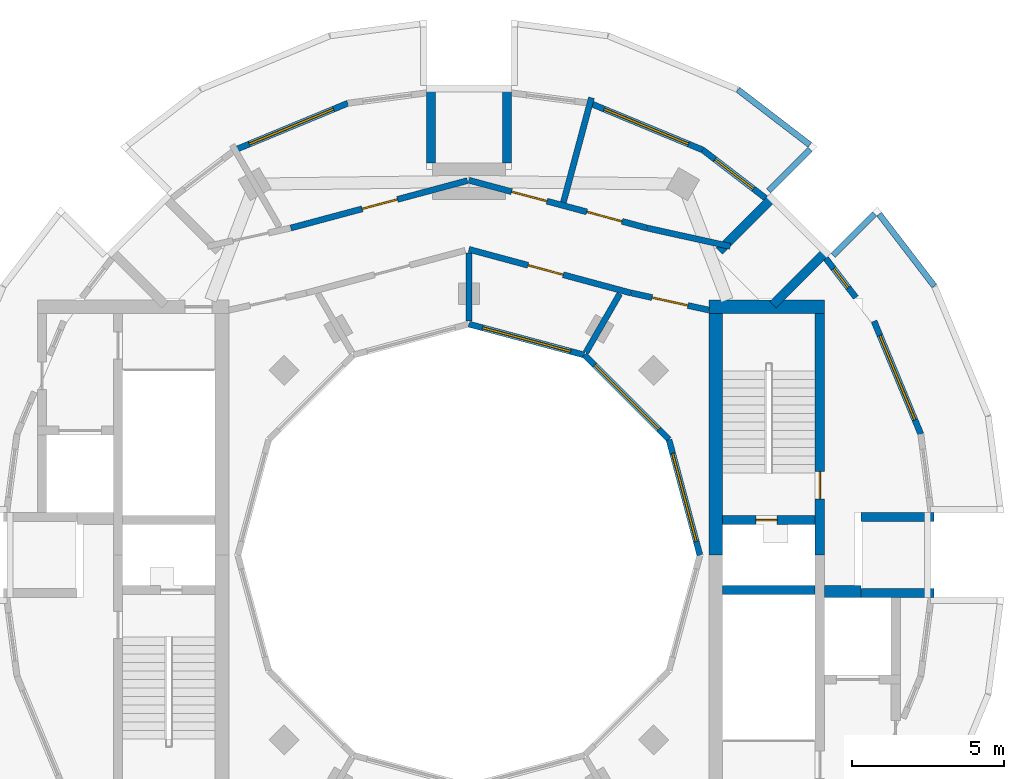
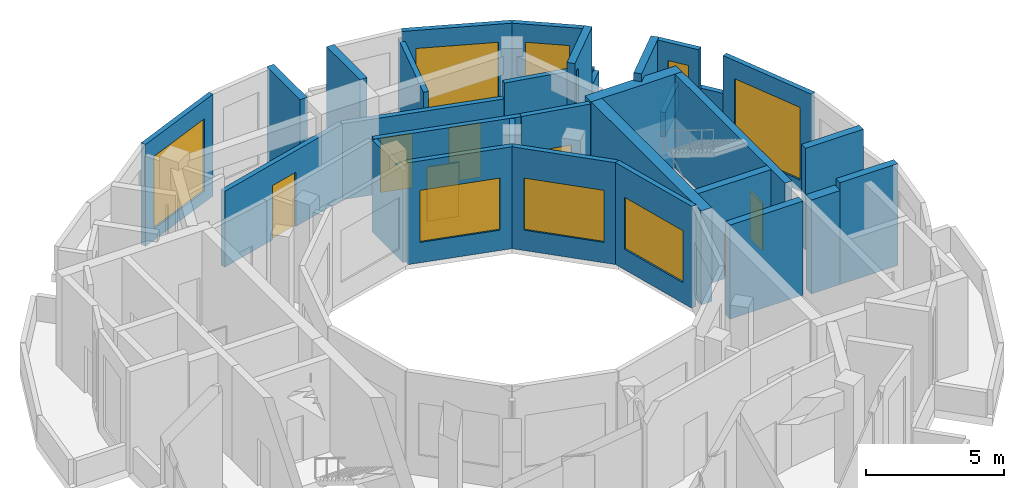
# One storey, part 5 of 7: 32 walls, 8 windows, 7 doors, 15 openings.
"""IFC4 building model written with IfcOpenShell, lengths in metres."""

from ifc_helpers import new_model, si_unit, direction, frame, frame_2d, origin, place, context, subcontext, project, spatial, rectangle, extrude, material, layer, layer_set, type_object, element, fill, save


model = new_model("IFC4")

# Units and contexts
model_context = context("Model", 3, precision=1e-05, world=origin(), true_north=direction((0.0, 1.0)))
body_context = subcontext(model_context, "Body", "Model", "MODEL_VIEW")
ifc_project = project(units=[si_unit("LENGTHUNIT", "METRE"), si_unit("AREAUNIT", "SQUARE_METRE"), si_unit("VOLUMEUNIT", "CUBIC_METRE"), si_unit("PLANEANGLEUNIT", "RADIAN"), si_unit("MASSUNIT", "GRAM", prefix="KILO")], contexts=[model_context])

# Site, building, storey
site_placement = place(None, origin())
site = spatial("IfcSite", under=ifc_project, at=site_placement, CompositionType="ELEMENT")
building_placement = place(site_placement, origin())
building = spatial("IfcBuilding", under=site, at=building_placement, Name="Torre Brocal", CompositionType="ELEMENT")
storey_placement = place(building_placement, frame((0.0, 0.0, 333.10009765625)))
storey = spatial("IfcBuildingStorey", under=building, at=storey_placement, Name="L76", CompositionType="ELEMENT", Elevation=333.10009765625)

# Wall, opening, door
ifc_material_1 = material(Name="Concrete C50", Category="concrete")
ifc_layer_1 = layer(ifc_material_1, 0.300048828125)
ifc_layer_set_1 = layer_set([ifc_layer_1], Name="Concrete C50")
wall_type_1 = type_object("IfcWallType", Name="CORE WALL 300 C50 UNDER 350 SLAB", PredefinedType="SHEAR", material=ifc_layer_set_1)
wall_1_placement = place(storey_placement, frame((91.550048828125, 75.0, 0.0), z_axis=(0.0, 0.0, 1.0), x_axis=(0.0, 1.0, 0.0)))
wall_1 = element("IfcWall", 1, at=wall_1_placement, inside=storey, type_object=wall_type_1, Name="Wall CW300-50-S350", PredefinedType="SHEAR", context=body_context, shape_type="SweptSolid", body=[
    extrude(rectangle(XDim=7.949951171875, YDim=0.300048828125, at=frame_2d((3.97509765625, 0.0))), origin(), (0.0, 0.0, 1.0), 4.14990234375),
])
opening_1_placement = place(wall_1_placement, frame((1.85009765625, 0.0, 0.0)))
opening_1 = element("IfcOpeningElement", 2, at=opening_1_placement, cuts=wall_1, Name="Opening E-D02", PredefinedType="OPENING", context=body_context, shape_type="SweptSolid", body=[
    extrude(rectangle(XDim=0.89990234375, YDim=2.10009765625, at=frame_2d((0.449951171875, 1.050048828125))), frame((0.0, 0.159912109375, 0.0), z_axis=(0.0, -1.0, 0.0), x_axis=(1.0, 0.0, 0.0)), (0.0, 0.0, 1.0), 0.320068359375),
])
ifc_material_2 = material(Name="Steel A653", Category="steel")
door_type_1 = type_object("IfcDoorType", Name="STAIR DOOR FD120 900X2100", OperationType="SINGLE_SWING_RIGHT", PredefinedType="DOOR", material=ifc_material_2)
door_1_placement = place(opening_1_placement, frame((0.89990234375, 0.0, 0.0), z_axis=(0.0, 0.0, 1.0), x_axis=(-1.0, 0.0, 0.0)))
door_1 = element("IfcDoor", 3, at=door_1_placement, inside=storey, type_object=door_type_1, Name="Door E-D02", OperationType="SINGLE_SWING_RIGHT", OverallHeight=2.10009765625, OverallWidth=0.89990234375, PredefinedType="DOOR", context=body_context, shape_type="SweptSolid", body=[
    extrude(rectangle(XDim=0.89990234375, YDim=2.10009765625, at=frame_2d((0.449951171875, 1.050048828125))), frame((0.0, 0.02490234375, 0.0), z_axis=(0.0, -1.0, 0.0), x_axis=(1.0, 0.0, 0.0)), (0.0, 0.0, 1.0), 0.050048828125),
])
fill(opening_1, door_1)

wall_2_placement = place(storey_placement, frame((88.35009765625, 76.14990234375, 0.0), z_axis=(0.0, 0.0, 1.0), x_axis=(1.0, 0.0, 0.0)))
wall_2 = element("IfcWall", 4, at=wall_2_placement, inside=storey, type_object=wall_type_1, Name="Wall CW300-50-S350", PredefinedType="SHEAR", context=body_context, shape_type="SweptSolid", body=[
    extrude(rectangle(XDim=3.0498046875, YDim=0.300048828125, at=frame_2d((1.52490234375, 0.0))), origin(), (0.0, 0.0, 1.0), 4.14990234375),
])
opening_2_placement = place(wall_2_placement, frame((1.10009765625, 0.0, 0.0)))
opening_2 = element("IfcOpeningElement", 5, at=opening_2_placement, cuts=wall_2, Name="Opening E-D01", PredefinedType="OPENING", context=body_context, shape_type="SweptSolid", body=[
    extrude(rectangle(XDim=0.699951171875, YDim=2.0, at=frame_2d((0.35009765625, 1.0))), frame((0.0, 0.159912109375, 0.0), z_axis=(0.0, -1.0, 0.0), x_axis=(1.0, 0.0, 0.0)), (0.0, 0.0, 1.0), 0.320068359375),
])
ifc_material_3 = material(Name="Steel A653", Category="steel")
door_type_2 = type_object("IfcDoorType", Name="RISER DOOR FD120 700X2000", OperationType="SINGLE_SWING_LEFT", PredefinedType="DOOR", material=ifc_material_3)
door_2_placement = place(opening_2_placement, frame((0.699951171875, 0.0, 0.0), z_axis=(0.0, 0.0, 1.0), x_axis=(-1.0, 0.0, 0.0)))
door_2 = element("IfcDoor", 6, at=door_2_placement, inside=storey, type_object=door_type_2, Name="Door E-D01", OperationType="SINGLE_SWING_RIGHT", OverallHeight=2.0, OverallWidth=0.699951171875, PredefinedType="DOOR", context=body_context, shape_type="SweptSolid", body=[
    extrude(rectangle(XDim=0.699951171875, YDim=2.0, at=frame_2d((0.35009765625, 1.0))), frame((0.0, 0.02490234375, 0.0), z_axis=(0.0, -1.0, 0.0), x_axis=(1.0, 0.0, 0.0)), (0.0, 0.0, 1.0), 0.050048828125),
])
fill(opening_2, door_2)

# Walls
wall_3_placement = place(storey_placement, frame((88.35009765625, 73.85009765625, 0.0), z_axis=(0.0, 0.0, 1.0), x_axis=(1.0, 0.0, 0.0)))
element("IfcWall", 7, at=wall_3_placement, inside=storey, type_object=wall_type_1, Name="Wall CW300-50-S350", PredefinedType="SHEAR", context=body_context, shape_type="SweptSolid", body=[
    extrude(rectangle(XDim=3.0498046875, YDim=0.300048828125, at=frame_2d((1.52490234375, 0.0))), origin(), (0.0, 0.0, 1.0), 4.14990234375),
])
ifc_material_4 = material(Name="Concrete C50", Category="concrete")
ifc_layer_2 = layer(ifc_material_4, 0.39990234375)
ifc_layer_set_2 = layer_set([ifc_layer_2], Name="Concrete C50")
wall_type_2 = type_object("IfcWallType", Name="CORE WALL 400 C50 UNDER 350 SLAB", PredefinedType="SHEAR", material=ifc_layer_set_2)
wall_4_placement = place(storey_placement, frame((91.699951171875, 73.800048828125, 0.0), z_axis=(0.0, 0.0, 1.0), x_axis=(1.0, 0.0, 0.0)))
element("IfcWall", 8, at=wall_4_placement, inside=storey, type_object=wall_type_2, Name="Wall CW400-50-S350", PredefinedType="SHEAR", context=body_context, shape_type="SweptSolid", body=[
    extrude(rectangle(XDim=1.199951171875, YDim=0.39990234375, at=frame_2d((0.60009765625, 0.0))), origin(), (0.0, 0.0, 1.0), 4.14990234375),
])
ifc_material_5 = material(Name="Concrete C50", Category="concrete")
ifc_layer_3 = layer(ifc_material_5, 0.449951171875)
ifc_layer_set_3 = layer_set([ifc_layer_3], Name="Concrete C50")
wall_type_3 = type_object("IfcWallType", Name="CORE WALL 450 C50 UNDER 350 SLAB", PredefinedType="SHEAR", material=ifc_layer_set_3)
wall_5_placement = place(storey_placement, frame((87.89990234375, 83.175048828125, 0.0), z_axis=(0.0, 0.0, 1.0), x_axis=(1.0, 0.0, 0.0)))
element("IfcWall", 9, at=wall_5_placement, inside=storey, type_object=wall_type_3, Name="Wall CW450-50-S350", PredefinedType="SHEAR", context=body_context, shape_type="SweptSolid", body=[
    extrude(rectangle(XDim=3.800048828125, YDim=0.449951171875, at=frame_2d((1.89990234375, 0.0))), origin(), (0.0, 0.0, 1.0), 4.14990234375),
])
wall_6_placement = place(storey_placement, frame((88.125, 75.0, 0.0), z_axis=(0.0, 0.0, 1.0), x_axis=(0.0, 1.0, 0.0)))
element("IfcWall", 10, at=wall_6_placement, inside=storey, type_object=wall_type_3, Name="Wall CW450-50-S350", PredefinedType="SHEAR", context=body_context, shape_type="SweptSolid", body=[
    extrude(rectangle(XDim=7.949951171875, YDim=0.449951171875, at=frame_2d((3.97509765625, 0.0))), origin(), (0.0, 0.0, 1.0), 4.14990234375),
])

# Wall, opening, window
ifc_material_6 = material(Name="Concrete C40", Category="concrete")
ifc_layer_4 = layer(ifc_material_6, 0.199951171875)
ifc_layer_set_4 = layer_set([ifc_layer_4], Name="Concrete C40")
wall_type_4 = type_object("IfcWallType", Name="LOUVRED PLANT WALL 200", PredefinedType="NOTDEFINED", material=ifc_layer_set_4)
wall_7_placement = place(storey_placement, frame((94.87451171875, 78.985595703125, 0.0), z_axis=(0.0, 0.0, 1.0), x_axis=(-0.38273440371, 0.923858417842, 0.0)))
wall_7 = element("IfcWall", 11, at=wall_7_placement, inside=storey, type_object=wall_type_4, Name="LOUVRED PLANT WALL", PredefinedType="NOTDEFINED", context=body_context, shape_type="SweptSolid", body=[
    extrude(rectangle(XDim=4.02001953125, YDim=0.199951171875, at=frame_2d((2.010009765625, 0.0))), origin(), (0.0, 0.0, 1.0), 4.5),
])
opening_3_placement = place(wall_7_placement, frame((0.510009765625, 0.0, 0.5)))
opening_3 = element("IfcOpeningElement", 12, at=opening_3_placement, cuts=wall_7, Name="Opening LV-3000-3200", PredefinedType="OPENING", context=body_context, shape_type="SweptSolid", body=[
    extrude(rectangle(XDim=3.0, YDim=3.199951171875, at=frame_2d((1.5, 1.60009765625))), frame((0.0, 0.10986328125, 0.0), z_axis=(0.0, -1.0, 0.0), x_axis=(1.0, 0.0, 0.0)), (0.0, 0.0, 1.0), 0.219970703125),
])
ifc_material_7 = material(Name="Aluminium louvre", Category="aluminium")
window_type_1 = type_object("IfcWindowType", Name="LOUVRE PANEL 3000X3200", PartitioningType="SINGLE_PANEL", PredefinedType="USERDEFINED", material=ifc_material_7)
window_1_placement = place(opening_3_placement, origin())
window_1 = element("IfcWindow", 13, at=window_1_placement, inside=storey, type_object=window_type_1, Name="LOUVRE PANEL 3000X3200", ObjectType="LOUVRE", OverallHeight=3.199951171875, OverallWidth=3.0, PartitioningType="SINGLE_PANEL", PredefinedType="USERDEFINED", context=body_context, shape_type="SweptSolid", body=[
    extrude(rectangle(XDim=3.0, YDim=3.199951171875, at=frame_2d((1.5, 1.60009765625))), frame((0.0, 0.030029296875, 0.0), z_axis=(0.0, -1.0, 0.0), x_axis=(1.0, 0.0, 0.0)), (0.0, 0.0, 1.0), 0.06005859375),
])
fill(opening_3, window_1)

wall_8_placement = place(storey_placement, frame((92.739501953125, 83.47705078125, 0.0), z_axis=(0.0, 0.0, 1.0), x_axis=(-0.608836430161, 0.79329578425, 0.0)))
wall_8 = element("IfcWall", 14, at=wall_8_placement, inside=storey, type_object=wall_type_4, Name="LOUVRED PLANT WALL", PredefinedType="NOTDEFINED", context=body_context, shape_type="SweptSolid", body=[
    extrude(rectangle(XDim=1.6201171875, YDim=0.199951171875, at=frame_2d((0.81005859375, 0.0))), origin(), (0.0, 0.0, 1.0), 4.5),
])
opening_4_placement = place(wall_8_placement, frame((0.409912109375, 0.0, 0.5)))
opening_4 = element("IfcOpeningElement", 15, at=opening_4_placement, cuts=wall_8, Name="Opening LV-800-3200", PredefinedType="OPENING", context=body_context, shape_type="SweptSolid", body=[
    extrude(rectangle(XDim=0.800048828125, YDim=3.199951171875, at=frame_2d((0.39990234375, 1.60009765625))), frame((0.0, 0.10986328125, 0.0), z_axis=(0.0, -1.0, 0.0), x_axis=(1.0, 0.0, 0.0)), (0.0, 0.0, 1.0), 0.219970703125),
])
ifc_material_8 = material(Name="Aluminium louvre", Category="aluminium")
window_type_2 = type_object("IfcWindowType", Name="LOUVRE PANEL 800X3200", PartitioningType="SINGLE_PANEL", PredefinedType="USERDEFINED", material=ifc_material_8)
window_2_placement = place(opening_4_placement, origin())
window_2 = element("IfcWindow", 16, at=window_2_placement, inside=storey, type_object=window_type_2, Name="LOUVRE PANEL 800X3200", ObjectType="LOUVRE", OverallHeight=3.199951171875, OverallWidth=0.800048828125, PartitioningType="SINGLE_PANEL", PredefinedType="USERDEFINED", context=body_context, shape_type="SweptSolid", body=[
    extrude(rectangle(XDim=0.800048828125, YDim=3.199951171875, at=frame_2d((0.39990234375, 1.60009765625))), frame((0.0, 0.030029296875, 0.0), z_axis=(0.0, -1.0, 0.0), x_axis=(1.0, 0.0, 0.0)), (0.0, 0.0, 1.0), 0.06005859375),
])
fill(opening_4, window_2)

wall_9_placement = place(storey_placement, frame((89.7685546875, 86.74853515625, 0.0), z_axis=(0.0, 0.0, 1.0), x_axis=(-0.793402901715, 0.608696833859, 0.0)))
wall_9 = element("IfcWall", 17, at=wall_9_placement, inside=storey, type_object=wall_type_4, Name="LOUVRED PLANT WALL", PredefinedType="NOTDEFINED", context=body_context, shape_type="SweptSolid", body=[
    extrude(rectangle(XDim=2.60791015625, YDim=0.199951171875, at=frame_2d((1.303955078125, 0.0))), origin(), (0.0, 0.0, 1.0), 4.5),
])
opening_5_placement = place(wall_9_placement, frame((0.50390625, 0.0, 0.5)))
opening_5 = element("IfcOpeningElement", 18, at=opening_5_placement, cuts=wall_9, Name="Opening LV-1600-3200", PredefinedType="OPENING", context=body_context, shape_type="SweptSolid", body=[
    extrude(rectangle(XDim=1.60009765625, YDim=3.199951171875, at=frame_2d((0.800048828125, 1.60009765625))), frame((0.0, 0.10986328125, 0.0), z_axis=(0.0, -1.0, 0.0), x_axis=(1.0, 0.0, 0.0)), (0.0, 0.0, 1.0), 0.219970703125),
])
ifc_material_9 = material(Name="Aluminium louvre", Category="aluminium")
window_type_3 = type_object("IfcWindowType", Name="LOUVRE PANEL 1600X3200", PartitioningType="SINGLE_PANEL", PredefinedType="USERDEFINED", material=ifc_material_9)
window_3_placement = place(opening_5_placement, origin())
window_3 = element("IfcWindow", 19, at=window_3_placement, inside=storey, type_object=window_type_3, Name="LOUVRE PANEL 1600X3200", ObjectType="LOUVRE", OverallHeight=3.199951171875, OverallWidth=1.60009765625, PartitioningType="SINGLE_PANEL", PredefinedType="USERDEFINED", context=body_context, shape_type="SweptSolid", body=[
    extrude(rectangle(XDim=1.60009765625, YDim=3.199951171875, at=frame_2d((0.800048828125, 1.60009765625))), frame((0.0, 0.030029296875, 0.0), z_axis=(0.0, -1.0, 0.0), x_axis=(1.0, 0.0, 0.0)), (0.0, 0.0, 1.0), 0.06005859375),
])
fill(opening_5, window_3)

wall_10_placement = place(storey_placement, frame((87.699462890625, 88.3359375, 0.0), z_axis=(0.0, 0.0, 1.0), x_axis=(-0.923858417842, 0.38273440371, 0.0)))
wall_10 = element("IfcWall", 20, at=wall_10_placement, inside=storey, type_object=wall_type_4, Name="LOUVRED PLANT WALL", PredefinedType="NOTDEFINED", context=body_context, shape_type="SweptSolid", body=[
    extrude(rectangle(XDim=4.02001953125, YDim=0.199951171875, at=frame_2d((2.010009765625, 0.0))), origin(), (0.0, 0.0, 1.0), 4.5),
])
opening_6_placement = place(wall_10_placement, frame((0.510009765625, 0.0, 0.5)))
opening_6 = element("IfcOpeningElement", 21, at=opening_6_placement, cuts=wall_10, Name="Opening LV-3000-3200", PredefinedType="OPENING", context=body_context, shape_type="SweptSolid", body=[
    extrude(rectangle(XDim=3.0, YDim=3.199951171875, at=frame_2d((1.5, 1.60009765625))), frame((0.0, 0.10986328125, 0.0), z_axis=(0.0, -1.0, 0.0), x_axis=(1.0, 0.0, 0.0)), (0.0, 0.0, 1.0), 0.219970703125),
])
window_4_placement = place(opening_6_placement, origin())
window_4 = element("IfcWindow", 22, at=window_4_placement, inside=storey, type_object=window_type_1, Name="LOUVRE PANEL 3000X3200", ObjectType="LOUVRE", OverallHeight=3.199951171875, OverallWidth=3.0, PartitioningType="SINGLE_PANEL", PredefinedType="USERDEFINED", context=body_context, shape_type="SweptSolid", body=[
    extrude(rectangle(XDim=3.0, YDim=3.199951171875, at=frame_2d((1.5, 1.60009765625))), frame((0.0, 0.030029296875, 0.0), z_axis=(0.0, -1.0, 0.0), x_axis=(1.0, 0.0, 0.0)), (0.0, 0.0, 1.0), 0.06005859375),
])
fill(opening_6, window_4)

wall_11_placement = place(storey_placement, frame((76.014404296875, 89.87451171875, 0.0), z_axis=(0.0, 0.0, 1.0), x_axis=(-0.923858417842, -0.38273440371, 0.0)))
wall_11 = element("IfcWall", 23, at=wall_11_placement, inside=storey, type_object=wall_type_4, Name="LOUVRED PLANT WALL", PredefinedType="NOTDEFINED", context=body_context, shape_type="SweptSolid", body=[
    extrude(rectangle(XDim=4.02001953125, YDim=0.199951171875, at=frame_2d((2.010009765625, 0.0))), origin(), (0.0, 0.0, 1.0), 4.5),
])
opening_7_placement = place(wall_11_placement, frame((0.510009765625, 0.0, 0.5)))
opening_7 = element("IfcOpeningElement", 24, at=opening_7_placement, cuts=wall_11, Name="Opening LV-3000-3200", PredefinedType="OPENING", context=body_context, shape_type="SweptSolid", body=[
    extrude(rectangle(XDim=3.0, YDim=3.199951171875, at=frame_2d((1.5, 1.60009765625))), frame((0.0, 0.10986328125, 0.0), z_axis=(0.0, -1.0, 0.0), x_axis=(1.0, 0.0, 0.0)), (0.0, 0.0, 1.0), 0.219970703125),
])
window_5_placement = place(opening_7_placement, origin())
window_5 = element("IfcWindow", 25, at=window_5_placement, inside=storey, type_object=window_type_1, Name="LOUVRE PANEL 3000X3200", ObjectType="LOUVRE", OverallHeight=3.199951171875, OverallWidth=3.0, PartitioningType="SINGLE_PANEL", PredefinedType="USERDEFINED", context=body_context, shape_type="SweptSolid", body=[
    extrude(rectangle(XDim=3.0, YDim=3.199951171875, at=frame_2d((1.5, 1.60009765625))), frame((0.0, 0.030029296875, 0.0), z_axis=(0.0, -1.0, 0.0), x_axis=(1.0, 0.0, 0.0)), (0.0, 0.0, 1.0), 0.06005859375),
])
fill(opening_7, window_5)

# Walls
ifc_material_10 = material(Name="Concrete C50", Category="concrete")
ifc_layer_5 = layer(ifc_material_10, 0.300048828125)
ifc_layer_set_5 = layer_set([ifc_layer_5], Name="Concrete C50")
wall_type_5 = type_object("IfcWallType", Name="NOTCH RETURN WALL 300 C50", PredefinedType="NOTDEFINED", material=ifc_layer_set_5)
for number, where, z_axis, x_axis, name in (
    (26, (92.89990234375, 73.75, 0.0), (0.0, 0.0, 1.0), (1.0, 0.0, 0.0), "NOTCH RETURN WALL"),
    (27, (92.89990234375, 76.25, 0.0), (0.0, 0.0, 1.0), (1.0, 0.0, 0.0), "NOTCH RETURN WALL"),
    (28, (90.005615234375, 83.23779296875, 0.0), (0.0, 0.0, 1.0), (0.707056246487, 0.707157312274, 0.0), "NOTCH RETURN WALL"),
    (29, (88.23779296875, 85.005615234375, 0.0), (0.0, 0.0, 1.0), (0.707157312274, 0.707056246487, 0.0), "NOTCH RETURN WALL"),
    (30, (81.25, 87.89990234375, 0.0), (0.0, 0.0, 1.0), (0.0, 1.0, 0.0), "NOTCH RETURN WALL"),
    (31, (78.75, 87.89990234375, 0.0), (0.0, 0.0, 1.0), (0.0, 1.0, 0.0), "NOTCH RETURN WALL"),
):
    element("IfcWall", number, at=place(storey_placement, frame(where, z_axis=z_axis, x_axis=x_axis)), inside=storey, type_object=wall_type_5, Name=name, PredefinedType="NOTDEFINED", context=body_context, shape_type="SweptSolid", body=[
        extrude(rectangle(XDim=2.415771484375, YDim=0.300048828125, at=frame_2d((1.2080078125, 0.0))), origin(), (0.0, 0.0, 1.0), 4.5),
    ])
ifc_material_11 = material(Name="Concrete C40", Category="concrete")
ifc_layer_6 = layer(ifc_material_11, 0.199951171875)
ifc_layer_set_6 = layer_set([ifc_layer_6], Name="Concrete C40")
wall_type_6 = type_object("IfcWallType", Name="PARAPET WALL 200 THICK 1100 HIGH 8", PredefinedType="PARAPET", material=ifc_layer_set_6)
wall_12_placement = place(storey_placement, frame((88.859130859375, 90.318359375, 0.0), z_axis=(0.0, 0.0, 1.0), x_axis=(0.79335441758, -0.608760025056, 0.0)))
element("IfcWall", 32, at=wall_12_placement, inside=storey, type_object=wall_type_6, Name="PARAPET WALL 44", PredefinedType="PARAPET", context=body_context, shape_type="SweptSolid", body=[
    extrude(rectangle(XDim=2.979736328125, YDim=0.199951171875, at=frame_2d((1.48974609375, 0.0))), origin(), (0.0, 0.0, 1.0), 1.099853515625),
])
for number, where, z_axis, x_axis, name in (
    (33, (91.23291015625, 88.354248046875, 0.0), (0.0, 0.0, 1.0), (-0.707043717037, -0.707169839712, 0.0), "PARAPET WALL 45"),
    (34, (91.9853515625, 84.8642578125, 0.0), (0.0, 0.0, 1.0), (0.707169839712, 0.707043717037, 0.0), "PARAPET WALL 47"),
):
    element("IfcWall", number, at=place(storey_placement, frame(where, z_axis=z_axis, x_axis=x_axis)), inside=storey, type_object=wall_type_6, Name=name, PredefinedType="PARAPET", context=body_context, shape_type="SweptSolid", body=[
        extrude(rectangle(XDim=1.935791015625, YDim=0.199951171875, at=frame_2d((0.9677734375, 0.0))), origin(), (0.0, 0.0, 1.0), 1.099853515625),
    ])
wall_13_placement = place(storey_placement, frame((93.50439453125, 86.22314453125, 0.0), z_axis=(0.0, 0.0, 1.0), x_axis=(0.608760025056, -0.79335441758, 0.0)))
element("IfcWall", 35, at=wall_13_placement, inside=storey, type_object=wall_type_6, Name="PARAPET WALL 48", PredefinedType="PARAPET", context=body_context, shape_type="SweptSolid", body=[
    extrude(rectangle(XDim=2.979736328125, YDim=0.199951171875, at=frame_2d((1.48974609375, 0.0))), origin(), (0.0, 0.0, 1.0), 1.099853515625),
])
ifc_material_12 = material(Name="Masonry block", Category="masonry")
ifc_layer_7 = layer(ifc_material_12, 0.199951171875)
ifc_layer_set_7 = layer_set([ifc_layer_7], Name="Masonry block")
wall_type_7 = type_object("IfcWallType", Name="PARTITION 200 EI120", PredefinedType="PARTITIONING", material=ifc_layer_set_7)
wall_14_placement = place(storey_placement, frame((80.0, 82.698974609375, 0.0), z_axis=(0.0, 0.0, 1.0), x_axis=(0.0, 1.0, 0.0)))
element("IfcWall", 36, at=wall_14_placement, inside=storey, type_object=wall_type_7, Name="PLANT ROOM WALL", PredefinedType="PARTITIONING", context=body_context, shape_type="SweptSolid", body=[
    extrude(rectangle(XDim=2.241943359375, YDim=0.199951171875, at=frame_2d((1.12109375, 0.0))), origin(), (0.0, 0.0, 1.0), 4.0498046875),
])

# Wall, opening, door
wall_15_placement = place(storey_placement, frame((80.001220703125, 85.06494140625, 0.0), z_axis=(0.0, 0.0, 1.0), x_axis=(0.965552921813, -0.260206754675, 0.0)))
wall_15 = element("IfcWall", 37, at=wall_15_placement, inside=storey, type_object=wall_type_7, Name="PLANT ROOM WALL", PredefinedType="PARTITIONING", context=body_context, shape_type="SweptSolid", body=[
    extrude(rectangle(XDim=5.516845703125, YDim=0.199951171875, at=frame_2d((2.75830078125, 0.0))), origin(), (0.0, 0.0, 1.0), 4.0498046875),
])
opening_8_placement = place(wall_15_placement, frame((2.013916015625, 0.0, 0.0)))
opening_8 = element("IfcOpeningElement", 38, at=opening_8_placement, cuts=wall_15, Name="Opening X5-D06", PredefinedType="OPENING", context=body_context, shape_type="SweptSolid", body=[
    extrude(rectangle(XDim=1.199951171875, YDim=2.39990234375, at=frame_2d((0.60009765625, 1.199951171875))), frame((0.0, 0.10986328125, 0.0), z_axis=(0.0, -1.0, 0.0), x_axis=(1.0, 0.0, 0.0)), (0.0, 0.0, 1.0), 0.219970703125),
])
ifc_material_13 = material(Name="Steel A653", Category="steel")
door_type_3 = type_object("IfcDoorType", Name="PLANT DOOR FD90 1200X2400", OperationType="SINGLE_SWING_RIGHT", PredefinedType="DOOR", material=ifc_material_13)
door_3_placement = place(opening_8_placement, frame((1.199951171875, 0.0, 0.0), z_axis=(0.0, 0.0, 1.0), x_axis=(-1.0, 0.0, 0.0)))
door_3 = element("IfcDoor", 39, at=door_3_placement, inside=storey, type_object=door_type_3, Name="X5-D06", OperationType="SINGLE_SWING_LEFT", OverallHeight=2.39990234375, OverallWidth=1.199951171875, PredefinedType="DOOR", context=body_context, shape_type="SweptSolid", body=[
    extrude(rectangle(XDim=1.199951171875, YDim=2.39990234375, at=frame_2d((0.60009765625, 1.199951171875))), frame((0.0, 0.02490234375, 0.0), z_axis=(0.0, -1.0, 0.0), x_axis=(1.0, 0.0, 0.0)), (0.0, 0.0, 1.0), 0.050048828125),
])
fill(opening_8, door_3)

# Walls
wall_16_placement = place(storey_placement, frame((83.11083984375, 86.609619140625, 0.0), z_axis=(0.0, 0.0, 1.0), x_axis=(0.258761164689, 0.965941333441, 0.0)))
element("IfcWall", 40, at=wall_16_placement, inside=storey, type_object=wall_type_7, Name="PLANT ROOM WALL", PredefinedType="PARTITIONING", context=body_context, shape_type="SweptSolid", body=[
    extrude(rectangle(XDim=3.568359375, YDim=0.199951171875, at=frame_2d((1.7841796875, 0.0))), origin(), (0.0, 0.0, 1.0), 4.0498046875),
])
wall_17_placement = place(storey_placement, frame((83.85009765625, 81.66650390625, 0.0), z_axis=(0.0, 0.0, 1.0), x_axis=(0.500066293759, 0.865987125681, 0.0)))
element("IfcWall", 41, at=wall_17_placement, inside=storey, type_object=wall_type_7, Name="PLANT ROOM WALL", PredefinedType="PARTITIONING", context=body_context, shape_type="SweptSolid", body=[
    extrude(rectangle(XDim=2.233154296875, YDim=0.199951171875, at=frame_2d((1.11669921875, 0.0))), origin(), (0.0, 0.0, 1.0), 4.0498046875),
])

# Wall, opening, door
wall_18_placement = place(storey_placement, frame((85.339111328125, 83.631103515625, 0.0), z_axis=(0.0, 0.0, 1.0), x_axis=(0.976420858197, -0.215875676438, 0.0)))
wall_18 = element("IfcWall", 42, at=wall_18_placement, inside=storey, type_object=wall_type_7, Name="PLANT ROOM WALL", PredefinedType="PARTITIONING", context=body_context, shape_type="SweptSolid", body=[
    extrude(rectangle(XDim=2.62255859375, YDim=0.199951171875, at=frame_2d((1.311279296875, 0.0))), origin(), (0.0, 0.0, 1.0), 4.0498046875),
])
opening_9_placement = place(wall_18_placement, frame((0.71142578125, 0.0, 0.0)))
opening_9 = element("IfcOpeningElement", 43, at=opening_9_placement, cuts=wall_18, Name="Opening X5-D05", PredefinedType="OPENING", context=body_context, shape_type="SweptSolid", body=[
    extrude(rectangle(XDim=1.199951171875, YDim=2.39990234375, at=frame_2d((0.60009765625, 1.199951171875))), frame((0.0, 0.10986328125, 0.0), z_axis=(0.0, -1.0, 0.0), x_axis=(1.0, 0.0, 0.0)), (0.0, 0.0, 1.0), 0.219970703125),
])
door_4_placement = place(opening_9_placement, frame((1.199951171875, 0.0, 0.0), z_axis=(0.0, 0.0, 1.0), x_axis=(-1.0, 0.0, 0.0)))
door_4 = element("IfcDoor", 44, at=door_4_placement, inside=storey, type_object=door_type_3, Name="X5-D05", OperationType="SINGLE_SWING_LEFT", OverallHeight=2.39990234375, OverallWidth=1.199951171875, PredefinedType="DOOR", context=body_context, shape_type="SweptSolid", body=[
    extrude(rectangle(XDim=1.199951171875, YDim=2.39990234375, at=frame_2d((0.60009765625, 1.199951171875))), frame((0.0, 0.02490234375, 0.0), z_axis=(0.0, -1.0, 0.0), x_axis=(1.0, 0.0, 0.0)), (0.0, 0.0, 1.0), 0.050048828125),
])
fill(opening_9, door_4)

# Wall
wall_19_placement = place(storey_placement, frame((85.861083984375, 85.76806640625, 0.0), z_axis=(0.0, 0.0, 1.0), x_axis=(0.976315738101, -0.216350594029, 0.0)))
element("IfcWall", 45, at=wall_19_placement, inside=storey, type_object=wall_type_7, Name="PLANT ROOM WALL", PredefinedType="PARTITIONING", context=body_context, shape_type="SweptSolid", body=[
    extrude(rectangle(XDim=2.80859375, YDim=0.199951171875, at=frame_2d((1.404296875, 0.0))), origin(), (0.0, 0.0, 1.0), 4.0498046875),
])

# Wall, opening, door
ifc_material_14 = material(Name="Masonry block", Category="masonry")
ifc_layer_8 = layer(ifc_material_14, 0.199951171875)
ifc_layer_set_8 = layer_set([ifc_layer_8], Name="Masonry block")
wall_type_8 = type_object("IfcWallType", Name="PARTITION 200 EI120 UNDER BEAM 1150", PredefinedType="PARTITIONING", material=ifc_layer_set_8)
wall_20_placement = place(storey_placement, frame((74.138916015625, 85.767822265625, 0.0), z_axis=(0.0, 0.0, 1.0), x_axis=(0.965901504328, 0.258909798842, 0.0)))
wall_20 = element("IfcWall", 46, at=wall_20_placement, inside=storey, type_object=wall_type_8, Name="PLANT ROOM WALL", PredefinedType="PARTITIONING", context=body_context, shape_type="SweptSolid", body=[
    extrude(rectangle(XDim=6.01806640625, YDim=0.199951171875, at=frame_2d((3.009033203125, 0.0))), origin(), (0.0, 0.0, 1.0), 3.349853515625),
])
opening_10_placement = place(wall_20_placement, frame((2.433837890625, 0.0, 0.0)))
opening_10 = element("IfcOpeningElement", 47, at=opening_10_placement, cuts=wall_20, Name="Opening X5-D03", PredefinedType="OPENING", context=body_context, shape_type="SweptSolid", body=[
    extrude(rectangle(XDim=1.199951171875, YDim=2.39990234375, at=frame_2d((0.60009765625, 1.199951171875))), frame((0.0, 0.10986328125, 0.0), z_axis=(0.0, -1.0, 0.0), x_axis=(1.0, 0.0, 0.0)), (0.0, 0.0, 1.0), 0.219970703125),
])
door_5_placement = place(opening_10_placement, origin())
door_5 = element("IfcDoor", 48, at=door_5_placement, inside=storey, type_object=door_type_3, Name="X5-D03", OperationType="SINGLE_SWING_RIGHT", OverallHeight=2.39990234375, OverallWidth=1.199951171875, PredefinedType="DOOR", context=body_context, shape_type="SweptSolid", body=[
    extrude(rectangle(XDim=1.199951171875, YDim=2.39990234375, at=frame_2d((0.60009765625, 1.199951171875))), frame((0.0, 0.02490234375, 0.0), z_axis=(0.0, -1.0, 0.0), x_axis=(1.0, 0.0, 0.0)), (0.0, 0.0, 1.0), 0.050048828125),
])
fill(opening_10, door_5)

# Wall, openings, doors
wall_21_placement = place(storey_placement, frame((80.0, 87.33935546875, 0.0), z_axis=(0.0, 0.0, 1.0), x_axis=(0.96586472806, -0.259046959234, 0.0)))
wall_21 = element("IfcWall", 49, at=wall_21_placement, inside=storey, type_object=wall_type_8, Name="PLANT ROOM WALL", PredefinedType="PARTITIONING", context=body_context, shape_type="SweptSolid", body=[
    extrude(rectangle(XDim=6.05810546875, YDim=0.199951171875, at=frame_2d((3.029052734375, 0.0))), origin(), (0.0, 0.0, 1.0), 3.349853515625),
])
opening_11_placement = place(wall_21_placement, frame((4.02099609375, 0.0, 0.0)))
opening_11 = element("IfcOpeningElement", 50, at=opening_11_placement, cuts=wall_21, Name="Opening X5-D01", PredefinedType="OPENING", context=body_context, shape_type="SweptSolid", body=[
    extrude(rectangle(XDim=1.199951171875, YDim=2.39990234375, at=frame_2d((0.60009765625, 1.199951171875))), frame((0.0, 0.10986328125, 0.0), z_axis=(0.0, -1.0, 0.0), x_axis=(1.0, 0.0, 0.0)), (0.0, 0.0, 1.0), 0.219970703125),
])
opening_12_placement = place(wall_21_placement, frame((1.456787109375, 0.0, 0.0)))
opening_12 = element("IfcOpeningElement", 51, at=opening_12_placement, cuts=wall_21, Name="Opening X5-D02", PredefinedType="OPENING", context=body_context, shape_type="SweptSolid", body=[
    extrude(rectangle(XDim=1.199951171875, YDim=2.39990234375, at=frame_2d((0.60009765625, 1.199951171875))), frame((0.0, 0.10986328125, 0.0), z_axis=(0.0, -1.0, 0.0), x_axis=(1.0, 0.0, 0.0)), (0.0, 0.0, 1.0), 0.219970703125),
])
door_6_placement = place(opening_11_placement, origin())
door_6 = element("IfcDoor", 52, at=door_6_placement, inside=storey, type_object=door_type_3, Name="X5-D01", OperationType="SINGLE_SWING_LEFT", OverallHeight=2.39990234375, OverallWidth=1.199951171875, PredefinedType="DOOR", context=body_context, shape_type="SweptSolid", body=[
    extrude(rectangle(XDim=1.199951171875, YDim=2.39990234375, at=frame_2d((0.60009765625, 1.199951171875))), frame((0.0, 0.02490234375, 0.0), z_axis=(0.0, -1.0, 0.0), x_axis=(1.0, 0.0, 0.0)), (0.0, 0.0, 1.0), 0.050048828125),
])
fill(opening_11, door_6)
door_7_placement = place(opening_12_placement, origin())
door_7 = element("IfcDoor", 53, at=door_7_placement, inside=storey, type_object=door_type_3, Name="X5-D02", OperationType="SINGLE_SWING_RIGHT", OverallHeight=2.39990234375, OverallWidth=1.199951171875, PredefinedType="DOOR", context=body_context, shape_type="SweptSolid", body=[
    extrude(rectangle(XDim=1.199951171875, YDim=2.39990234375, at=frame_2d((0.60009765625, 1.199951171875))), frame((0.0, 0.02490234375, 0.0), z_axis=(0.0, -1.0, 0.0), x_axis=(1.0, 0.0, 0.0)), (0.0, 0.0, 1.0), 0.050048828125),
])
fill(opening_12, door_7)

# Wall, opening, window
ifc_material_15 = material(Name="Concrete C40", Category="concrete")
ifc_layer_9 = layer(ifc_material_15, 0.199951171875)
ifc_layer_set_9 = layer_set([ifc_layer_9], Name="Concrete C40")
wall_type_9 = type_object("IfcWallType", Name="WELL FACADE WALL 200", PredefinedType="NOTDEFINED", material=ifc_layer_set_9)
wall_22_placement = place(storey_placement, frame((87.603515625, 75.0, 0.0), z_axis=(0.0, 0.0, 1.0), x_axis=(-0.258789828301, 0.965933654434, 0.0)))
wall_22 = element("IfcWall", 54, at=wall_22_placement, inside=storey, type_object=wall_type_9, Name="WELL FACADE WALL", PredefinedType="NOTDEFINED", context=body_context, shape_type="SweptSolid", body=[
    extrude(rectangle(XDim=3.935791015625, YDim=0.199951171875, at=frame_2d((1.9677734375, 0.0))), origin(), (0.0, 0.0, 1.0), 4.5),
])
opening_13_placement = place(wall_22_placement, frame((0.468017578125, 0.0, 0.89990234375)))
opening_13 = element("IfcOpeningElement", 55, at=opening_13_placement, cuts=wall_22, Name="Opening W1", PredefinedType="OPENING", context=body_context, shape_type="SweptSolid", body=[
    extrude(rectangle(XDim=3.0, YDim=2.300048828125, at=frame_2d((1.5, 1.14990234375))), frame((0.0, 0.10986328125, 0.0), z_axis=(0.0, -1.0, 0.0), x_axis=(1.0, 0.0, 0.0)), (0.0, 0.0, 1.0), 0.219970703125),
])
ifc_material_16 = material(Name="Aluminium and glass", Category="aluminium")
window_type_4 = type_object("IfcWindowType", Name="WELL WINDOW 3000X2300", PartitioningType="SINGLE_PANEL", PredefinedType="WINDOW", material=ifc_material_16)
window_6_placement = place(opening_13_placement, origin())
window_6 = element("IfcWindow", 56, at=window_6_placement, inside=storey, type_object=window_type_4, Name="WELL WINDOW 3000X2300", OverallHeight=2.300048828125, OverallWidth=3.0, PartitioningType="SINGLE_PANEL", PredefinedType="WINDOW", context=body_context, shape_type="SweptSolid", body=[
    extrude(rectangle(XDim=3.0, YDim=2.300048828125, at=frame_2d((1.5, 1.14990234375))), frame((0.0, 0.030029296875, 0.0), z_axis=(0.0, -1.0, 0.0), x_axis=(1.0, 0.0, 0.0)), (0.0, 0.0, 1.0), 0.06005859375),
])
fill(opening_13, window_6)

wall_23_placement = place(storey_placement, frame((86.5849609375, 78.8017578125, 0.0), z_axis=(0.0, 0.0, 1.0), x_axis=(-0.707106781187, 0.707106781187, 0.0)))
wall_23 = element("IfcWall", 57, at=wall_23_placement, inside=storey, type_object=wall_type_9, Name="WELL FACADE WALL", PredefinedType="NOTDEFINED", context=body_context, shape_type="SweptSolid", body=[
    extrude(rectangle(XDim=3.93603515625, YDim=0.199951171875, at=frame_2d((1.968017578125, 0.0))), origin(), (0.0, 0.0, 1.0), 4.5),
])
opening_14_placement = place(wall_23_placement, frame((0.468017578125, 0.0, 0.89990234375)))
opening_14 = element("IfcOpeningElement", 58, at=opening_14_placement, cuts=wall_23, Name="Opening W1", PredefinedType="OPENING", context=body_context, shape_type="SweptSolid", body=[
    extrude(rectangle(XDim=3.0, YDim=2.300048828125, at=frame_2d((1.5, 1.14990234375))), frame((0.0, 0.10986328125, 0.0), z_axis=(0.0, -1.0, 0.0), x_axis=(1.0, 0.0, 0.0)), (0.0, 0.0, 1.0), 0.219970703125),
])
window_7_placement = place(opening_14_placement, origin())
window_7 = element("IfcWindow", 59, at=window_7_placement, inside=storey, type_object=window_type_4, Name="WELL WINDOW 3000X2300", OverallHeight=2.300048828125, OverallWidth=3.0, PartitioningType="SINGLE_PANEL", PredefinedType="WINDOW", context=body_context, shape_type="SweptSolid", body=[
    extrude(rectangle(XDim=3.0, YDim=2.300048828125, at=frame_2d((1.5, 1.14990234375))), frame((0.0, 0.030029296875, 0.0), z_axis=(0.0, -1.0, 0.0), x_axis=(1.0, 0.0, 0.0)), (0.0, 0.0, 1.0), 0.06005859375),
])
fill(opening_14, window_7)

wall_24_placement = place(storey_placement, frame((83.8017578125, 81.5849609375, 0.0), z_axis=(0.0, 0.0, 1.0), x_axis=(-0.965933654434, 0.258789828301, 0.0)))
wall_24 = element("IfcWall", 60, at=wall_24_placement, inside=storey, type_object=wall_type_9, Name="WELL FACADE WALL", PredefinedType="NOTDEFINED", context=body_context, shape_type="SweptSolid", body=[
    extrude(rectangle(XDim=3.935791015625, YDim=0.199951171875, at=frame_2d((1.9677734375, 0.0))), origin(), (0.0, 0.0, 1.0), 4.5),
])
opening_15_placement = place(wall_24_placement, frame((0.468017578125, 0.0, 0.89990234375)))
opening_15 = element("IfcOpeningElement", 61, at=opening_15_placement, cuts=wall_24, Name="Opening W1", PredefinedType="OPENING", context=body_context, shape_type="SweptSolid", body=[
    extrude(rectangle(XDim=3.0, YDim=2.300048828125, at=frame_2d((1.5, 1.14990234375))), frame((0.0, 0.10986328125, 0.0), z_axis=(0.0, -1.0, 0.0), x_axis=(1.0, 0.0, 0.0)), (0.0, 0.0, 1.0), 0.219970703125),
])
window_8_placement = place(opening_15_placement, origin())
window_8 = element("IfcWindow", 62, at=window_8_placement, inside=storey, type_object=window_type_4, Name="WELL WINDOW 3000X2300", OverallHeight=2.300048828125, OverallWidth=3.0, PartitioningType="SINGLE_PANEL", PredefinedType="WINDOW", context=body_context, shape_type="SweptSolid", body=[
    extrude(rectangle(XDim=3.0, YDim=2.300048828125, at=frame_2d((1.5, 1.14990234375))), frame((0.0, 0.030029296875, 0.0), z_axis=(0.0, -1.0, 0.0), x_axis=(1.0, 0.0, 0.0)), (0.0, 0.0, 1.0), 0.06005859375),
])
fill(opening_15, window_8)

save(model, "model.ifc")
